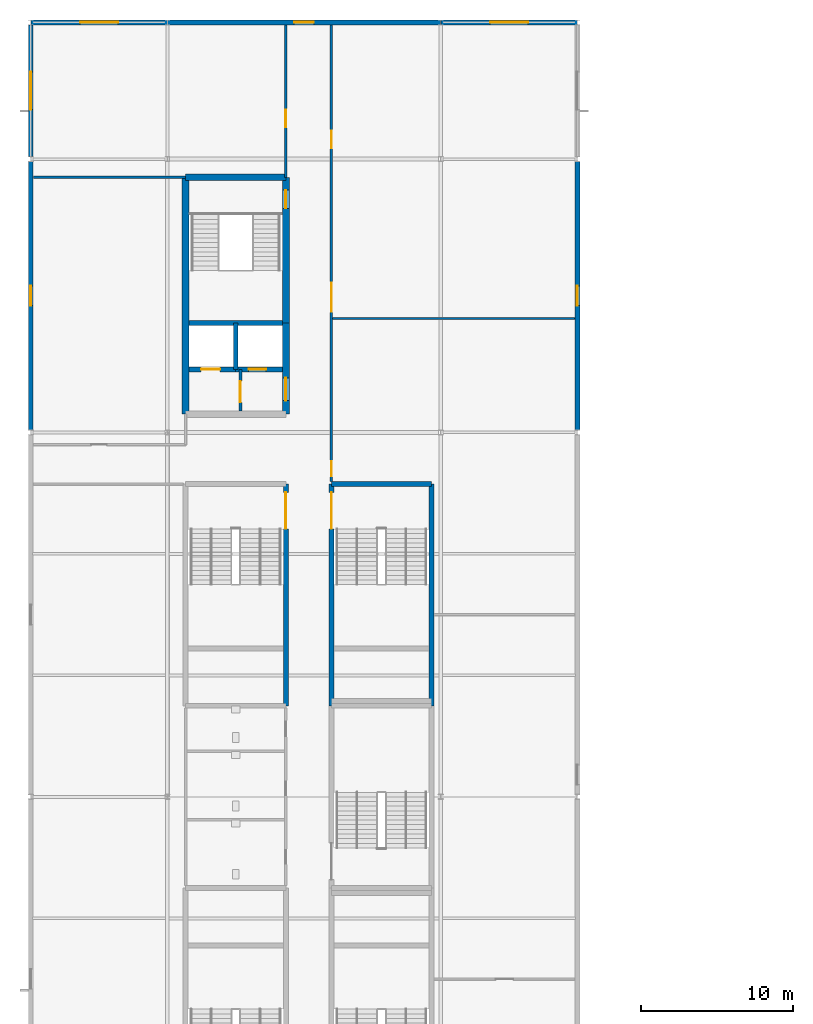
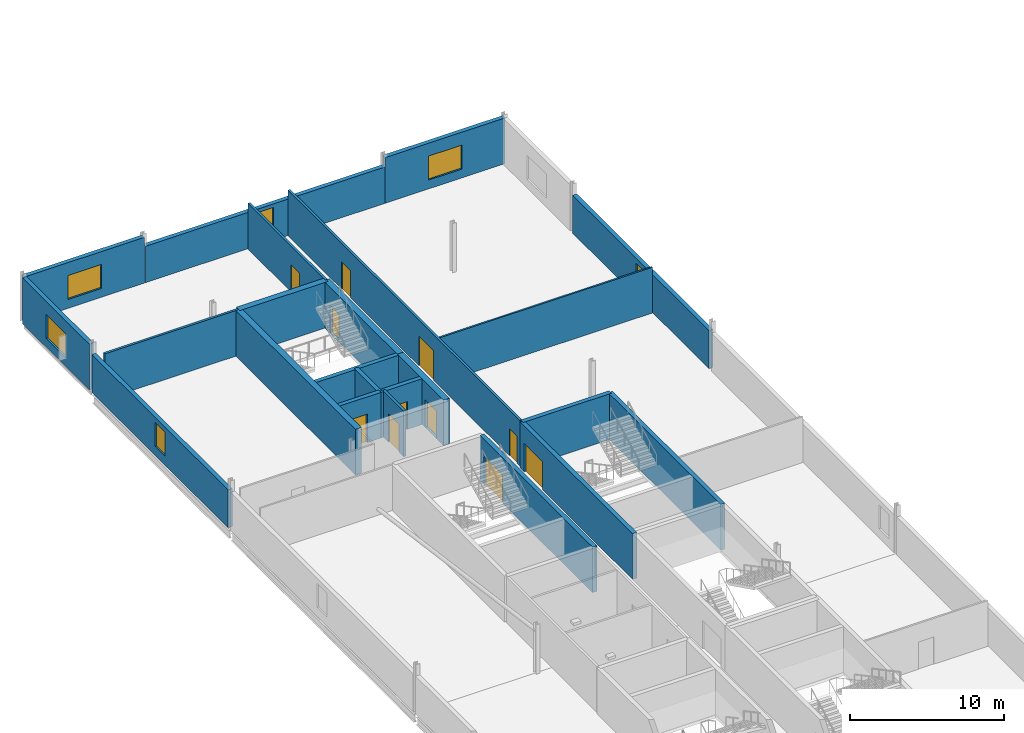
# One storey, part 16 of 31: 23 walls, 11 doors, 6 windows, 17 openings.
"""IFC4 building model written with IfcOpenShell, lengths in metres."""

from ifc_helpers import new_model, si_unit, direction, frame, frame_2d, origin, place, context, subcontext, project, spatial, rectangle, extrude, material, layer, layer_set, type_object, element, fill, save


model = new_model("IFC4")

# Units and contexts
model_context = context("Model", 3, precision=1e-05, world=origin(), true_north=direction((0.0, 1.0)))
body_context = subcontext(model_context, "Body", "Model", "MODEL_VIEW")
ifc_project = project(units=[si_unit("LENGTHUNIT", "METRE"), si_unit("AREAUNIT", "SQUARE_METRE"), si_unit("VOLUMEUNIT", "CUBIC_METRE"), si_unit("PLANEANGLEUNIT", "RADIAN"), si_unit("MASSUNIT", "GRAM", prefix="KILO")], contexts=[model_context])

# Site, building, storey
site_placement = place(None, origin())
site = spatial("IfcSite", under=ifc_project, at=site_placement, CompositionType="ELEMENT")
building_placement = place(site_placement, origin())
building = spatial("IfcBuilding", under=site, at=building_placement, Name="Kisiwana Market Hall", CompositionType="ELEMENT")
storey_placement = place(building_placement, frame((0.0, 0.0, 45.60009765625)))
storey = spatial("IfcBuildingStorey", under=building, at=storey_placement, Name="L10", CompositionType="ELEMENT", Elevation=45.60009765625)

# Wall, opening, door
ifc_material_1 = material(Name="Masonry blockwork", Category="masonry")
ifc_layer_1 = layer(ifc_material_1, 0.199951171875, Name="Plastered fire compartment block wall")
ifc_layer_set_1 = layer_set([ifc_layer_1], Name="WL-COMP-200")
wall_type_1 = type_object("IfcWallType", Name="WL-COMP-200", PredefinedType="PARTITIONING", material=ifc_layer_set_1)
wall_1_placement = place(storey_placement, frame((13.800048828125, 85.425048828125, 0.0), z_axis=(0.0, 0.0, 1.0), x_axis=(0.0, 1.0, 0.0)))
wall_1 = element("IfcWall", 1, at=wall_1_placement, inside=storey, type_object=wall_type_1, Name="Core W1 firefighting lobby wall W-2708", PredefinedType="PARTITIONING", context=body_context, shape_type="SweptSolid", body=[
    extrude(rectangle(XDim=2.72998046875, YDim=0.199951171875, at=frame_2d((1.364990234375, 0.0))), origin(), (0.0, 0.0, 1.0), 3.619873046875),
])
opening_1_placement = place(wall_1_placement, frame((0.550048828125, 0.0, 0.0)))
opening_1 = element("IfcOpeningElement", 2, at=opening_1_placement, cuts=wall_1, Name="Opening DR-L10-006", PredefinedType="OPENING", context=body_context, shape_type="SweptSolid", body=[
    extrude(rectangle(XDim=1.39990234375, YDim=2.25, at=frame_2d((0.699951171875, 1.125))), frame((0.0, 0.11181640625, 0.0), z_axis=(0.0, -1.0, 0.0), x_axis=(1.0, 0.0, 0.0)), (0.0, 0.0, 1.0), 0.223876953125),
])
ifc_material_2 = material(Name="Steel S275", Category="steel")
door_type_1 = type_object("IfcDoorType", Name="DR-FFLOB-FD120-1400", OperationType="DOUBLE_DOOR_SINGLE_SWING", PredefinedType="DOOR", material=ifc_material_2)
door_1_placement = place(opening_1_placement, frame((1.39990234375, 0.0, 0.0), z_axis=(0.0, 0.0, 1.0), x_axis=(-1.0, 0.0, 0.0)))
door_1 = element("IfcDoor", 3, at=door_1_placement, inside=storey, type_object=door_type_1, Name="Firefighting Lift Lobby W1 Door (L10)", OperationType="DOUBLE_DOOR_SINGLE_SWING", OverallHeight=2.25, OverallWidth=1.39990234375, PredefinedType="DOOR", context=body_context, shape_type="SweptSolid", body=[
    extrude(rectangle(XDim=1.39990234375, YDim=2.25, at=frame_2d((0.699951171875, 1.125))), frame((0.0, 0.02490234375, 0.0), z_axis=(0.0, -1.0, 0.0), x_axis=(1.0, 0.0, 0.0)), (0.0, 0.0, 1.0), 0.050048828125),
])
fill(opening_1, door_1)

# Walls
ifc_material_3 = material(Name="Concrete C40/50", Category="concrete")
ifc_layer_2 = layer(ifc_material_3, 0.320068359375, Name="Reinforced concrete shaft wall")
ifc_layer_set_2 = layer_set([ifc_layer_2], Name="WL-CORE-320")
wall_type_2 = type_object("IfcWallType", Name="WL-CORE-320", PredefinedType="SHEAR", material=ifc_layer_set_2)
wall_2_placement = place(storey_placement, frame((10.425048828125, 91.215087890625, 0.0), z_axis=(0.0, 0.0, 1.0), x_axis=(1.0, 0.0, 0.0)))
element("IfcWall", 4, at=wall_2_placement, inside=storey, type_object=wall_type_2, Name="Core W1 shaft back shear wall W-2601", PredefinedType="SHEAR", context=body_context, shape_type="SweptSolid", body=[
    extrude(rectangle(XDim=6.14990234375, YDim=0.320068359375, at=frame_2d((3.074951171875, 0.0))), origin(), (0.0, 0.0, 1.0), 3.619873046875),
])
wall_3_placement = place(storey_placement, frame((13.5, 88.155029296875, 0.0), z_axis=(0.0, 0.0, 1.0), x_axis=(0.0, 1.0, 0.0)))
element("IfcWall", 5, at=wall_3_placement, inside=storey, type_object=wall_type_2, Name="Core W1 inter-shaft shear wall W-2602", PredefinedType="SHEAR", context=body_context, shape_type="SweptSolid", body=[
    extrude(rectangle(XDim=3.06005859375, YDim=0.320068359375, at=frame_2d((1.530029296875, 0.0))), origin(), (0.0, 0.0, 1.0), 3.619873046875),
])

# Wall, opening, door
wall_4_placement = place(storey_placement, frame((10.425048828125, 88.155029296875, 0.0), z_axis=(0.0, 0.0, 1.0), x_axis=(1.0, 0.0, 0.0)))
wall_4 = element("IfcWall", 6, at=wall_4_placement, inside=storey, type_object=wall_type_2, Name="Core W1 west lift front wall W-2603", PredefinedType="SHEAR", context=body_context, shape_type="SweptSolid", body=[
    extrude(rectangle(XDim=3.074951171875, YDim=0.320068359375, at=frame_2d((1.53759765625, 0.0))), origin(), (0.0, 0.0, 1.0), 3.619873046875),
])
opening_2_placement = place(wall_4_placement, frame((0.800048828125, 0.0, 0.0)))
opening_2 = element("IfcOpeningElement", 7, at=opening_2_placement, cuts=wall_4, Name="Opening LD-L10-003", PredefinedType="OPENING", context=body_context, shape_type="SweptSolid", body=[
    extrude(rectangle(XDim=1.25, YDim=2.25, at=frame_2d((0.625, 1.125))), frame((0.0, 0.171875, 0.0), z_axis=(0.0, -1.0, 0.0), x_axis=(1.0, 0.0, 0.0)), (0.0, 0.0, 1.0), 0.343994140625),
])
ifc_material_4 = material(Name="Steel S275", Category="steel")
door_type_2 = type_object("IfcDoorType", Name="DR-LIFT-FFL-1250", OperationType="DOUBLE_DOOR_SLIDING", PredefinedType="DOOR", material=ifc_material_4)
door_2_placement = place(opening_2_placement, origin())
door_2 = element("IfcDoor", 8, at=door_2_placement, inside=storey, type_object=door_type_2, Name="Lift Landing Door FFL-02 (L10)", OperationType="DOUBLE_DOOR_SLIDING", OverallHeight=2.25, OverallWidth=1.25, PredefinedType="DOOR", context=body_context, shape_type="SweptSolid", body=[
    extrude(rectangle(XDim=1.25, YDim=2.25, at=frame_2d((0.625, 1.125))), frame((0.0, 0.02490234375, 0.0), z_axis=(0.0, -1.0, 0.0), x_axis=(1.0, 0.0, 0.0)), (0.0, 0.0, 1.0), 0.050048828125),
])
fill(opening_2, door_2)

wall_5_placement = place(storey_placement, frame((13.5, 88.155029296875, 0.0), z_axis=(0.0, 0.0, 1.0), x_axis=(1.0, 0.0, 0.0)))
wall_5 = element("IfcWall", 9, at=wall_5_placement, inside=storey, type_object=wall_type_2, Name="Core W1 east lift front wall W-2604", PredefinedType="SHEAR", context=body_context, shape_type="SweptSolid", body=[
    extrude(rectangle(XDim=3.074951171875, YDim=0.320068359375, at=frame_2d((1.53759765625, 0.0))), origin(), (0.0, 0.0, 1.0), 3.619873046875),
])
opening_3_placement = place(wall_5_placement, frame((0.85009765625, 0.0, 0.0)))
opening_3 = element("IfcOpeningElement", 10, at=opening_3_placement, cuts=wall_5, Name="Opening LD-L10-004", PredefinedType="OPENING", context=body_context, shape_type="SweptSolid", body=[
    extrude(rectangle(XDim=1.14990234375, YDim=2.199951171875, at=frame_2d((0.574951171875, 1.10009765625))), frame((0.0, 0.171875, 0.0), z_axis=(0.0, -1.0, 0.0), x_axis=(1.0, 0.0, 0.0)), (0.0, 0.0, 1.0), 0.343994140625),
])
ifc_material_5 = material(Name="Steel S275", Category="steel")
door_type_3 = type_object("IfcDoorType", Name="DR-LIFT-PAX-1150", OperationType="DOUBLE_DOOR_SLIDING", PredefinedType="DOOR", material=ifc_material_5)
door_3_placement = place(opening_3_placement, origin())
door_3 = element("IfcDoor", 11, at=door_3_placement, inside=storey, type_object=door_type_3, Name="Lift Landing Door LP-02 (L10)", OperationType="DOUBLE_DOOR_SLIDING", OverallHeight=2.199951171875, OverallWidth=1.14990234375, PredefinedType="DOOR", context=body_context, shape_type="SweptSolid", body=[
    extrude(rectangle(XDim=1.14990234375, YDim=2.199951171875, at=frame_2d((0.574951171875, 1.10009765625))), frame((0.0, 0.02490234375, 0.0), z_axis=(0.0, -1.0, 0.0), x_axis=(1.0, 0.0, 0.0)), (0.0, 0.0, 1.0), 0.050048828125),
])
fill(opening_3, door_3)

wall_6_placement = place(storey_placement, frame((16.800048828125, 66.0, 0.0), z_axis=(0.0, 0.0, 1.0), x_axis=(0.0, 1.0, 0.0)))
wall_6 = element("IfcWall", 12, at=wall_6_placement, inside=storey, type_object=wall_type_2, Name="Core W4 corridor shear wall W-2631", PredefinedType="SHEAR", context=body_context, shape_type="SweptSolid", body=[
    extrude(rectangle(XDim=14.60009765625, YDim=0.320068359375, at=frame_2d((7.300048828125, 0.0))), origin(), (0.0, 0.0, 1.0), 3.619873046875),
])
opening_4_placement = place(wall_6_placement, frame((11.64990234375, 0.0, 0.0)))
opening_4 = element("IfcOpeningElement", 13, at=opening_4_placement, cuts=wall_6, Name="Opening DR-L10-014", PredefinedType="OPENING", context=body_context, shape_type="SweptSolid", body=[
    extrude(rectangle(XDim=2.39990234375, YDim=2.25, at=frame_2d((1.199951171875, 1.125))), frame((0.0, 0.171875, 0.0), z_axis=(0.0, -1.0, 0.0), x_axis=(1.0, 0.0, 0.0)), (0.0, 0.0, 1.0), 0.343994140625),
])
ifc_material_6 = material(Name="Steel S275", Category="steel")
door_type_4 = type_object("IfcDoorType", Name="DR-STAIR-FD120-2400", OperationType="DOUBLE_DOOR_SINGLE_SWING", PredefinedType="DOOR", material=ifc_material_6)
door_4_placement = place(opening_4_placement, origin())
door_4 = element("IfcDoor", 14, at=door_4_placement, inside=storey, type_object=door_type_4, Name="Escape Stair W4 Fire Door (L10)", OperationType="DOUBLE_DOOR_SINGLE_SWING", OverallHeight=2.25, OverallWidth=2.39990234375, PredefinedType="DOOR", context=body_context, shape_type="SweptSolid", body=[
    extrude(rectangle(XDim=2.39990234375, YDim=2.25, at=frame_2d((1.199951171875, 1.125))), frame((0.0, 0.02490234375, 0.0), z_axis=(0.0, -1.0, 0.0), x_axis=(1.0, 0.0, 0.0)), (0.0, 0.0, 1.0), 0.050048828125),
])
fill(opening_4, door_4)

# Wall
wall_7_placement = place(storey_placement, frame((19.800048828125, 80.60009765625, 0.0), z_axis=(0.0, 0.0, 1.0), x_axis=(1.0, 0.0, 0.0)))
element("IfcWall", 15, at=wall_7_placement, inside=storey, type_object=wall_type_2, Name="Core W8 north shear wall W-2654", PredefinedType="SHEAR", context=body_context, shape_type="SweptSolid", body=[
    extrude(rectangle(XDim=6.599853515625, YDim=0.320068359375, at=frame_2d((3.2998046875, 0.0))), origin(), (0.0, 0.0, 1.0), 3.619873046875),
])

# Wall, opening, door
wall_8_placement = place(storey_placement, frame((19.800048828125, 66.0, 0.0), z_axis=(0.0, 0.0, 1.0), x_axis=(0.0, 1.0, 0.0)))
wall_8 = element("IfcWall", 16, at=wall_8_placement, inside=storey, type_object=wall_type_2, Name="Core W8 corridor shear wall W-2655", PredefinedType="SHEAR", context=body_context, shape_type="SweptSolid", body=[
    extrude(rectangle(XDim=14.60009765625, YDim=0.320068359375, at=frame_2d((7.300048828125, 0.0))), origin(), (0.0, 0.0, 1.0), 3.619873046875),
])
opening_5_placement = place(wall_8_placement, frame((11.64990234375, 0.0, 0.0)))
opening_5 = element("IfcOpeningElement", 17, at=opening_5_placement, cuts=wall_8, Name="Opening DR-L10-019", PredefinedType="OPENING", context=body_context, shape_type="SweptSolid", body=[
    extrude(rectangle(XDim=2.39990234375, YDim=2.25, at=frame_2d((1.199951171875, 1.125))), frame((0.0, 0.171875, 0.0), z_axis=(0.0, -1.0, 0.0), x_axis=(1.0, 0.0, 0.0)), (0.0, 0.0, 1.0), 0.343994140625),
])
door_5_placement = place(opening_5_placement, frame((2.39990234375, 0.0, 0.0), z_axis=(0.0, 0.0, 1.0), x_axis=(-1.0, 0.0, 0.0)))
door_5 = element("IfcDoor", 18, at=door_5_placement, inside=storey, type_object=door_type_4, Name="Escape Stair W8 Fire Door (L10)", OperationType="DOUBLE_DOOR_SINGLE_SWING", OverallHeight=2.25, OverallWidth=2.39990234375, PredefinedType="DOOR", context=body_context, shape_type="SweptSolid", body=[
    extrude(rectangle(XDim=2.39990234375, YDim=2.25, at=frame_2d((1.199951171875, 1.125))), frame((0.0, 0.02490234375, 0.0), z_axis=(0.0, -1.0, 0.0), x_axis=(1.0, 0.0, 0.0)), (0.0, 0.0, 1.0), 0.050048828125),
])
fill(opening_5, door_5)

# Walls
wall_9_placement = place(storey_placement, frame((26.39990234375, 66.0, 0.0), z_axis=(0.0, 0.0, 1.0), x_axis=(0.0, 1.0, 0.0)))
element("IfcWall", 19, at=wall_9_placement, inside=storey, type_object=wall_type_2, Name="Core W8 outer shear wall W-2656", PredefinedType="SHEAR", context=body_context, shape_type="SweptSolid", body=[
    extrude(rectangle(XDim=14.60009765625, YDim=0.320068359375, at=frame_2d((7.300048828125, 0.0))), origin(), (0.0, 0.0, 1.0), 3.619873046875),
])
ifc_material_7 = material(Name="Concrete C40/50", Category="concrete")
ifc_layer_3 = layer(ifc_material_7, 0.449951171875, Name="Reinforced concrete core wall")
ifc_layer_set_3 = layer_set([ifc_layer_3], Name="WL-CORE-450")
wall_type_3 = type_object("IfcWallType", Name="WL-CORE-450", PredefinedType="SHEAR", material=ifc_layer_set_3)
wall_10_placement = place(storey_placement, frame((10.199951171875, 100.800048828125, 0.0), z_axis=(0.0, 0.0, 1.0), x_axis=(1.0, 0.0, 0.0)))
element("IfcWall", 20, at=wall_10_placement, inside=storey, type_object=wall_type_3, Name="Core W1 north shear wall W-2597", PredefinedType="SHEAR", context=body_context, shape_type="SweptSolid", body=[
    extrude(rectangle(XDim=6.60009765625, YDim=0.449951171875, at=frame_2d((3.300048828125, 0.0))), origin(), (0.0, 0.0, 1.0), 3.619873046875),
])
wall_11_placement = place(storey_placement, frame((10.199951171875, 85.199951171875, 0.0), z_axis=(0.0, 0.0, 1.0), x_axis=(0.0, 1.0, 0.0)))
element("IfcWall", 21, at=wall_11_placement, inside=storey, type_object=wall_type_3, Name="Core W1 outer shear wall W-2598", PredefinedType="SHEAR", context=body_context, shape_type="SweptSolid", body=[
    extrude(rectangle(XDim=15.60009765625, YDim=0.449951171875, at=frame_2d((7.800048828125, 0.0))), origin(), (0.0, 0.0, 1.0), 3.619873046875),
])

# Wall, opening, door
wall_12_placement = place(storey_placement, frame((16.800048828125, 85.199951171875, 0.0), z_axis=(0.0, 0.0, 1.0), x_axis=(0.0, 1.0, 0.0)))
wall_12 = element("IfcWall", 22, at=wall_12_placement, inside=storey, type_object=wall_type_3, Name="Core W1 lobby corridor shear wall W-2599", PredefinedType="SHEAR", context=body_context, shape_type="SweptSolid", body=[
    extrude(rectangle(XDim=6.01513671875, YDim=0.449951171875, at=frame_2d((3.007568359375, 0.0))), origin(), (0.0, 0.0, 1.0), 3.619873046875),
])
opening_6_placement = place(wall_12_placement, frame((0.89990234375, 0.0, 0.0)))
opening_6 = element("IfcOpeningElement", 23, at=opening_6_placement, cuts=wall_12, Name="Opening DR-L10-004", PredefinedType="OPENING", context=body_context, shape_type="SweptSolid", body=[
    extrude(rectangle(XDim=1.5, YDim=2.199951171875, at=frame_2d((0.75, 1.10009765625))), frame((0.0, 0.23681640625, 0.0), z_axis=(0.0, -1.0, 0.0), x_axis=(1.0, 0.0, 0.0)), (0.0, 0.0, 1.0), 0.473876953125),
])
ifc_material_8 = material(Name="Steel S275", Category="steel")
door_type_5 = type_object("IfcDoorType", Name="DR-CORR-FD60-1500", OperationType="DOUBLE_DOOR_SINGLE_SWING", PredefinedType="DOOR", material=ifc_material_8)
door_6_placement = place(opening_6_placement, frame((1.5, 0.0, 0.0), z_axis=(0.0, 0.0, 1.0), x_axis=(-1.0, 0.0, 0.0)))
door_6 = element("IfcDoor", 24, at=door_6_placement, inside=storey, type_object=door_type_5, Name="Passenger Lift Lobby W1 Smoke Door (L10)", OperationType="DOUBLE_DOOR_SINGLE_SWING", OverallHeight=2.199951171875, OverallWidth=1.5, PredefinedType="DOOR", context=body_context, shape_type="SweptSolid", body=[
    extrude(rectangle(XDim=1.5, YDim=2.199951171875, at=frame_2d((0.75, 1.10009765625))), frame((0.0, 0.02490234375, 0.0), z_axis=(0.0, -1.0, 0.0), x_axis=(1.0, 0.0, 0.0)), (0.0, 0.0, 1.0), 0.050048828125),
])
fill(opening_6, door_6)

wall_13_placement = place(storey_placement, frame((16.800048828125, 91.215087890625, 0.0), z_axis=(0.0, 0.0, 1.0), x_axis=(0.0, 1.0, 0.0)))
wall_13 = element("IfcWall", 25, at=wall_13_placement, inside=storey, type_object=wall_type_3, Name="Core W1 stair corridor shear wall W-2600", PredefinedType="SHEAR", context=body_context, shape_type="SweptSolid", body=[
    extrude(rectangle(XDim=9.5849609375, YDim=0.449951171875, at=frame_2d((4.79248046875, 0.0))), origin(), (0.0, 0.0, 1.0), 3.619873046875),
])
opening_7_placement = place(wall_13_placement, frame((7.534912109375, 0.0, 0.0)))
opening_7 = element("IfcOpeningElement", 26, at=opening_7_placement, cuts=wall_13, Name="Opening DR-L10-005", PredefinedType="OPENING", context=body_context, shape_type="SweptSolid", body=[
    extrude(rectangle(XDim=1.199951171875, YDim=2.199951171875, at=frame_2d((0.60009765625, 1.10009765625))), frame((0.0, 0.23681640625, 0.0), z_axis=(0.0, -1.0, 0.0), x_axis=(1.0, 0.0, 0.0)), (0.0, 0.0, 1.0), 0.473876953125),
])
ifc_material_9 = material(Name="Steel S275", Category="steel")
door_type_6 = type_object("IfcDoorType", Name="DR-STAIR-FD120-1200", OperationType="NOTDEFINED", PredefinedType="DOOR", material=ifc_material_9)
door_7_placement = place(opening_7_placement, origin())
door_7 = element("IfcDoor", 27, at=door_7_placement, inside=storey, type_object=door_type_6, Name="Escape Stair W1 Fire Door (L10)", OperationType="SINGLE_SWING_RIGHT", OverallHeight=2.199951171875, OverallWidth=1.199951171875, PredefinedType="DOOR", context=body_context, shape_type="SweptSolid", body=[
    extrude(rectangle(XDim=1.199951171875, YDim=2.199951171875, at=frame_2d((0.60009765625, 1.10009765625))), frame((0.0, 0.02490234375, 0.0), z_axis=(0.0, -1.0, 0.0), x_axis=(1.0, 0.0, 0.0)), (0.0, 0.0, 1.0), 0.050048828125),
])
fill(opening_7, door_7)

# Wall
ifc_material_10 = material(Name="Masonry blockwork", Category="masonry")
ifc_layer_4 = layer(ifc_material_10, 0.169921875, Name="Protected corridor partition")
ifc_layer_set_4 = layer_set([ifc_layer_4], Name="WL-CORR-170")
wall_type_4 = type_object("IfcWallType", Name="WL-CORR-170", PredefinedType="PARTITIONING", material=ifc_layer_set_4)
wall_14_placement = place(storey_placement, frame((0.1826171875, 100.800048828125, 0.0), z_axis=(0.0, 0.0, 1.0), x_axis=(1.0, 0.0, 0.0)))
element("IfcWall", 28, at=wall_14_placement, inside=storey, type_object=wall_type_4, Name="Interior partition W-2718", PredefinedType="PARTITIONING", context=body_context, shape_type="SweptSolid", body=[
    extrude(rectangle(XDim=10.017333984375, YDim=0.169921875, at=frame_2d((5.0087890625, 0.0))), origin(), (0.0, 0.0, 1.0), 3.619873046875),
])

# Wall, opening, door
wall_15_placement = place(storey_placement, frame((16.800048828125, 100.800048828125, 0.0), z_axis=(0.0, 0.0, 1.0), x_axis=(0.0, 1.0, 0.0)))
wall_15 = element("IfcWall", 29, at=wall_15_placement, inside=storey, type_object=wall_type_4, Name="Interior partition W-2724", PredefinedType="PARTITIONING", context=body_context, shape_type="SweptSolid", body=[
    extrude(rectangle(XDim=10.017333984375, YDim=0.169921875, at=frame_2d((5.0087890625, 0.0))), origin(), (0.0, 0.0, 1.0), 3.619873046875),
])
opening_8_placement = place(wall_15_placement, frame((3.300048828125, 0.0, 0.0)))
opening_8 = element("IfcOpeningElement", 30, at=opening_8_placement, cuts=wall_15, Name="Opening DR-L10-030", PredefinedType="OPENING", context=body_context, shape_type="SweptSolid", body=[
    extrude(rectangle(XDim=1.14990234375, YDim=2.14990234375, at=frame_2d((0.574951171875, 1.074951171875))), frame((0.0, 0.096923828125, 0.0), z_axis=(0.0, -1.0, 0.0), x_axis=(1.0, 0.0, 0.0)), (0.0, 0.0, 1.0), 0.19384765625),
])
ifc_material_11 = material(Name="Aluminium alloy 6063-T6", Category="aluminium")
door_type_7 = type_object("IfcDoorType", Name="DR-MEET-1150", OperationType="NOTDEFINED", PredefinedType="DOOR", material=ifc_material_11)
door_8_placement = place(opening_8_placement, origin())
door_8 = element("IfcDoor", 31, at=door_8_placement, inside=storey, type_object=door_type_7, Name="L10 W Corner Office Suite North Door", OperationType="SINGLE_SWING_LEFT", OverallHeight=2.14990234375, OverallWidth=1.14990234375, PredefinedType="DOOR", context=body_context, shape_type="SweptSolid", body=[
    extrude(rectangle(XDim=1.14990234375, YDim=2.14990234375, at=frame_2d((0.574951171875, 1.074951171875))), frame((0.0, 0.02490234375, 0.0), z_axis=(0.0, -1.0, 0.0), x_axis=(1.0, 0.0, 0.0)), (0.0, 0.0, 1.0), 0.050048828125),
])
fill(opening_8, door_8)

# Wall, openings, doors
wall_16_placement = place(storey_placement, frame((19.800048828125, 80.760009765625, 0.0), z_axis=(0.0, 0.0, 1.0), x_axis=(0.0, 1.0, 0.0)))
wall_16 = element("IfcWall", 32, at=wall_16_placement, inside=storey, type_object=wall_type_4, Name="Interior partition W-2730", PredefinedType="PARTITIONING", context=body_context, shape_type="SweptSolid", body=[
    extrude(rectangle(XDim=30.057373046875, YDim=0.169921875, at=frame_2d((15.02880859375, 0.0))), origin(), (0.0, 0.0, 1.0), 3.619873046875),
])
opening_9_placement = place(wall_16_placement, frame((0.35009765625, 0.0, 0.0)))
opening_9 = element("IfcOpeningElement", 33, at=opening_9_placement, cuts=wall_16, Name="Opening DR-L10-036", PredefinedType="OPENING", context=body_context, shape_type="SweptSolid", body=[
    extrude(rectangle(XDim=1.0, YDim=2.14990234375, at=frame_2d((0.5, 1.074951171875))), frame((0.0, 0.096923828125, 0.0), z_axis=(0.0, -1.0, 0.0), x_axis=(1.0, 0.0, 0.0)), (0.0, 0.0, 1.0), 0.19384765625),
])
opening_10_placement = place(wall_16_placement, frame((21.949951171875, 0.0, 0.0)))
opening_10 = element("IfcOpeningElement", 34, at=opening_10_placement, cuts=wall_16, Name="Opening DR-L10-037", PredefinedType="OPENING", context=body_context, shape_type="SweptSolid", body=[
    extrude(rectangle(XDim=1.14990234375, YDim=2.14990234375, at=frame_2d((0.574951171875, 1.074951171875))), frame((0.0, 0.096923828125, 0.0), z_axis=(0.0, -1.0, 0.0), x_axis=(1.0, 0.0, 0.0)), (0.0, 0.0, 1.0), 0.19384765625),
])
opening_11_placement = place(wall_16_placement, frame((11.18994140625, 0.0, 0.0)))
opening_11 = element("IfcOpeningElement", 35, at=opening_11_placement, cuts=wall_16, Name="Opening DR-L10-038", PredefinedType="OPENING", context=body_context, shape_type="SweptSolid", body=[
    extrude(rectangle(XDim=1.89990234375, YDim=2.35009765625, at=frame_2d((0.949951171875, 1.175048828125))), frame((0.0, 0.096923828125, 0.0), z_axis=(0.0, -1.0, 0.0), x_axis=(1.0, 0.0, 0.0)), (0.0, 0.0, 1.0), 0.19384765625),
])
ifc_material_12 = material(Name="Steel S275", Category="steel")
door_type_8 = type_object("IfcDoorType", Name="DR-HALL-1900", OperationType="DOUBLE_DOOR_SINGLE_SWING", PredefinedType="DOOR", material=ifc_material_12)
door_9_placement = place(opening_11_placement, frame((1.89990234375, 0.0, 0.0), z_axis=(0.0, 0.0, 1.0), x_axis=(-1.0, 0.0, 0.0)))
door_9 = element("IfcDoor", 36, at=door_9_placement, inside=storey, type_object=door_type_8, Name="L10 W Client Briefing Room M5 Exit Door", OperationType="DOUBLE_DOOR_SINGLE_SWING", OverallHeight=2.35009765625, OverallWidth=1.89990234375, PredefinedType="DOOR", context=body_context, shape_type="SweptSolid", body=[
    extrude(rectangle(XDim=1.89990234375, YDim=2.35009765625, at=frame_2d((0.949951171875, 1.175048828125))), frame((0.0, 0.02490234375, 0.0), z_axis=(0.0, -1.0, 0.0), x_axis=(1.0, 0.0, 0.0)), (0.0, 0.0, 1.0), 0.050048828125),
])
fill(opening_11, door_9)
door_10_placement = place(opening_10_placement, frame((1.14990234375, 0.0, 0.0), z_axis=(0.0, 0.0, 1.0), x_axis=(-1.0, 0.0, 0.0)))
door_10 = element("IfcDoor", 37, at=door_10_placement, inside=storey, type_object=door_type_7, Name="L10 W Client Briefing Room M5 Door", OperationType="SINGLE_SWING_LEFT", OverallHeight=2.14990234375, OverallWidth=1.14990234375, PredefinedType="DOOR", context=body_context, shape_type="SweptSolid", body=[
    extrude(rectangle(XDim=1.14990234375, YDim=2.14990234375, at=frame_2d((0.574951171875, 1.074951171875))), frame((0.0, 0.02490234375, 0.0), z_axis=(0.0, -1.0, 0.0), x_axis=(1.0, 0.0, 0.0)), (0.0, 0.0, 1.0), 0.050048828125),
])
fill(opening_10, door_10)
ifc_material_13 = material(Name="Aluminium alloy 6063-T6", Category="aluminium")
door_type_9 = type_object("IfcDoorType", Name="DR-OFF-1000", OperationType="NOTDEFINED", PredefinedType="DOOR", material=ifc_material_13)
door_11_placement = place(opening_9_placement, frame((1.0, 0.0, 0.0), z_axis=(0.0, 0.0, 1.0), x_axis=(-1.0, 0.0, 0.0)))
door_11 = element("IfcDoor", 38, at=door_11_placement, inside=storey, type_object=door_type_9, Name="L10 W Mid-Rise Office Suite M4 Door", OperationType="SINGLE_SWING_RIGHT", OverallHeight=2.14990234375, OverallWidth=1.0, PredefinedType="DOOR", context=body_context, shape_type="SweptSolid", body=[
    extrude(rectangle(XDim=1.0, YDim=2.14990234375, at=frame_2d((0.5, 1.074951171875))), frame((0.0, 0.02490234375, 0.0), z_axis=(0.0, -1.0, 0.0), x_axis=(1.0, 0.0, 0.0)), (0.0, 0.0, 1.0), 0.050048828125),
])
fill(opening_9, door_11)

# Wall, opening, window
ifc_material_14 = material(Name="Concrete C40/50 precast", Category="concrete")
ifc_layer_5 = layer(ifc_material_14, 0.31494140625)
ifc_layer_set_5 = layer_set([ifc_layer_5], Name="WL-EXT-315")
wall_type_5 = type_object("IfcWallType", Name="WL-EXT-315", PredefinedType="STANDARD", material=ifc_layer_set_5)
wall_17_placement = place(storey_placement, frame((0.010009765625, 111.0, 0.0), z_axis=(0.0, 0.0, 1.0), x_axis=(1.0, 0.0, 0.0)))
wall_17 = element("IfcWall", 39, at=wall_17_placement, inside=storey, type_object=wall_type_5, Name="Exterior wall W-2677", PredefinedType="STANDARD", context=body_context, shape_type="SweptSolid", body=[
    extrude(rectangle(XDim=8.97998046875, YDim=0.31494140625, at=frame_2d((4.489990234375, 0.0))), origin(), (0.0, 0.0, 1.0), 3.619873046875),
])
opening_12_placement = place(wall_17_placement, frame((3.239990234375, 0.0, 0.699951171875)))
opening_12 = element("IfcOpeningElement", 40, at=opening_12_placement, cuts=wall_17, Name="Opening WN-17", PredefinedType="OPENING", context=body_context, shape_type="SweptSolid", body=[
    extrude(rectangle(XDim=2.5, YDim=1.89990234375, at=frame_2d((1.25, 0.949951171875))), frame((0.0, 0.16943359375, 0.0), z_axis=(0.0, -1.0, 0.0), x_axis=(1.0, 0.0, 0.0)), (0.0, 0.0, 1.0), 0.3388671875),
])
ifc_material_15 = material(Name="Double-glazed solar-control low-E IGU", Category="glass")
window_type_1 = type_object("IfcWindowType", Name="WN-OFFB-2500x1900", PartitioningType="SINGLE_PANEL", PredefinedType="WINDOW", material=ifc_material_15)
window_1_placement = place(opening_12_placement, origin())
window_1 = element("IfcWindow", 41, at=window_1_placement, inside=storey, type_object=window_type_1, Name="Exterior window WN-318", OverallHeight=1.89990234375, OverallWidth=2.5, PartitioningType="SINGLE_PANEL", PredefinedType="WINDOW", context=body_context, shape_type="SweptSolid", body=[
    extrude(rectangle(XDim=2.5, YDim=1.89990234375, at=frame_2d((1.25, 0.949951171875))), frame((0.0, 0.030029296875, 0.0), z_axis=(0.0, -1.0, 0.0), x_axis=(1.0, 0.0, 0.0)), (0.0, 0.0, 1.0), 0.06005859375),
])
fill(opening_12, window_1)

wall_18_placement = place(storey_placement, frame((9.010009765625, 111.0, 0.0), z_axis=(0.0, 0.0, 1.0), x_axis=(1.0, 0.0, 0.0)))
wall_18 = element("IfcWall", 42, at=wall_18_placement, inside=storey, type_object=wall_type_5, Name="Exterior wall W-2678", PredefinedType="STANDARD", context=body_context, shape_type="SweptSolid", body=[
    extrude(rectangle(XDim=17.97998046875, YDim=0.31494140625, at=frame_2d((8.989990234375, 0.0))), origin(), (0.0, 0.0, 1.0), 2.879638671875),
])
opening_13_placement = place(wall_18_placement, frame((8.340087890625, 0.0, 0.699951171875)))
opening_13 = element("IfcOpeningElement", 43, at=opening_13_placement, cuts=wall_18, Name="Opening WN-08", PredefinedType="OPENING", context=body_context, shape_type="SweptSolid", body=[
    extrude(rectangle(XDim=1.300048828125, YDim=1.89990234375, at=frame_2d((0.64990234375, 0.949951171875))), frame((0.0, 0.16943359375, 0.0), z_axis=(0.0, -1.0, 0.0), x_axis=(1.0, 0.0, 0.0)), (0.0, 0.0, 1.0), 0.3388671875),
])
ifc_material_16 = material(Name="Double-glazed solar-control low-E IGU", Category="glass")
window_type_2 = type_object("IfcWindowType", Name="WN-OFFB-1300x1900", PartitioningType="SINGLE_PANEL", PredefinedType="WINDOW", material=ifc_material_16)
window_2_placement = place(opening_13_placement, origin())
window_2 = element("IfcWindow", 44, at=window_2_placement, inside=storey, type_object=window_type_2, Name="Exterior window WN-296", OverallHeight=1.89990234375, OverallWidth=1.300048828125, PartitioningType="SINGLE_PANEL", PredefinedType="WINDOW", context=body_context, shape_type="SweptSolid", body=[
    extrude(rectangle(XDim=1.300048828125, YDim=1.89990234375, at=frame_2d((0.64990234375, 0.949951171875))), frame((0.0, 0.030029296875, 0.0), z_axis=(0.0, -1.0, 0.0), x_axis=(1.0, 0.0, 0.0)), (0.0, 0.0, 1.0), 0.06005859375),
])
fill(opening_13, window_2)

wall_19_placement = place(storey_placement, frame((27.010009765625, 111.0, 0.0), z_axis=(0.0, 0.0, 1.0), x_axis=(1.0, 0.0, 0.0)))
wall_19 = element("IfcWall", 45, at=wall_19_placement, inside=storey, type_object=wall_type_5, Name="Exterior wall W-2679", PredefinedType="STANDARD", context=body_context, shape_type="SweptSolid", body=[
    extrude(rectangle(XDim=8.97998046875, YDim=0.31494140625, at=frame_2d((4.489990234375, 0.0))), origin(), (0.0, 0.0, 1.0), 3.619873046875),
])
opening_14_placement = place(wall_19_placement, frame((3.239990234375, 0.0, 0.699951171875)))
opening_14 = element("IfcOpeningElement", 46, at=opening_14_placement, cuts=wall_19, Name="Opening WN-17", PredefinedType="OPENING", context=body_context, shape_type="SweptSolid", body=[
    extrude(rectangle(XDim=2.5, YDim=1.89990234375, at=frame_2d((1.25, 0.949951171875))), frame((0.0, 0.16943359375, 0.0), z_axis=(0.0, -1.0, 0.0), x_axis=(1.0, 0.0, 0.0)), (0.0, 0.0, 1.0), 0.3388671875),
])
window_3_placement = place(opening_14_placement, origin())
window_3 = element("IfcWindow", 47, at=window_3_placement, inside=storey, type_object=window_type_1, Name="Exterior window WN-319", OverallHeight=1.89990234375, OverallWidth=2.5, PartitioningType="SINGLE_PANEL", PredefinedType="WINDOW", context=body_context, shape_type="SweptSolid", body=[
    extrude(rectangle(XDim=2.5, YDim=1.89990234375, at=frame_2d((1.25, 0.949951171875))), frame((0.0, 0.030029296875, 0.0), z_axis=(0.0, -1.0, 0.0), x_axis=(1.0, 0.0, 0.0)), (0.0, 0.0, 1.0), 0.06005859375),
])
fill(opening_14, window_3)

wall_20_placement = place(storey_placement, frame((0.0, 84.159912109375, 0.0), z_axis=(0.0, 0.0, 1.0), x_axis=(0.0, 1.0, 0.0)))
wall_20 = element("IfcWall", 48, at=wall_20_placement, inside=storey, type_object=wall_type_5, Name="Exterior wall W-2687", PredefinedType="STANDARD", context=body_context, shape_type="SweptSolid", body=[
    extrude(rectangle(XDim=17.68017578125, YDim=0.31494140625, at=frame_2d((8.840087890625, 0.0))), origin(), (0.0, 0.0, 1.0), 3.0078125),
])
opening_15_placement = place(wall_20_placement, frame((8.190185546875, 0.0, 0.699951171875)))
opening_15 = element("IfcOpeningElement", 49, at=opening_15_placement, cuts=wall_20, Name="Opening WN-08", PredefinedType="OPENING", context=body_context, shape_type="SweptSolid", body=[
    extrude(rectangle(XDim=1.300048828125, YDim=1.89990234375, at=frame_2d((0.64990234375, 0.949951171875))), frame((0.0, 0.16943359375, 0.0), z_axis=(0.0, -1.0, 0.0), x_axis=(1.0, 0.0, 0.0)), (0.0, 0.0, 1.0), 0.3388671875),
])
window_4_placement = place(opening_15_placement, origin())
window_4 = element("IfcWindow", 50, at=window_4_placement, inside=storey, type_object=window_type_2, Name="Exterior window WN-301", OverallHeight=1.89990234375, OverallWidth=1.300048828125, PartitioningType="SINGLE_PANEL", PredefinedType="WINDOW", context=body_context, shape_type="SweptSolid", body=[
    extrude(rectangle(XDim=1.300048828125, YDim=1.89990234375, at=frame_2d((0.64990234375, 0.949951171875))), frame((0.0, 0.030029296875, 0.0), z_axis=(0.0, -1.0, 0.0), x_axis=(1.0, 0.0, 0.0)), (0.0, 0.0, 1.0), 0.06005859375),
])
fill(opening_15, window_4)

wall_21_placement = place(storey_placement, frame((0.0, 102.159912109375, 0.0), z_axis=(0.0, 0.0, 1.0), x_axis=(0.0, 1.0, 0.0)))
wall_21 = element("IfcWall", 51, at=wall_21_placement, inside=storey, type_object=wall_type_5, Name="Exterior wall W-2688", PredefinedType="STANDARD", context=body_context, shape_type="SweptSolid", body=[
    extrude(rectangle(XDim=8.68017578125, YDim=0.31494140625, at=frame_2d((4.340087890625, 0.0))), origin(), (0.0, 0.0, 1.0), 3.619873046875),
])
opening_16_placement = place(wall_21_placement, frame((3.090087890625, 0.0, 0.699951171875)))
opening_16 = element("IfcOpeningElement", 52, at=opening_16_placement, cuts=wall_21, Name="Opening WN-17", PredefinedType="OPENING", context=body_context, shape_type="SweptSolid", body=[
    extrude(rectangle(XDim=2.5, YDim=1.89990234375, at=frame_2d((1.25, 0.949951171875))), frame((0.0, 0.16943359375, 0.0), z_axis=(0.0, -1.0, 0.0), x_axis=(1.0, 0.0, 0.0)), (0.0, 0.0, 1.0), 0.3388671875),
])
window_5_placement = place(opening_16_placement, origin())
window_5 = element("IfcWindow", 53, at=window_5_placement, inside=storey, type_object=window_type_1, Name="Exterior window WN-323", OverallHeight=1.89990234375, OverallWidth=2.5, PartitioningType="SINGLE_PANEL", PredefinedType="WINDOW", context=body_context, shape_type="SweptSolid", body=[
    extrude(rectangle(XDim=2.5, YDim=1.89990234375, at=frame_2d((1.25, 0.949951171875))), frame((0.0, 0.030029296875, 0.0), z_axis=(0.0, -1.0, 0.0), x_axis=(1.0, 0.0, 0.0)), (0.0, 0.0, 1.0), 0.06005859375),
])
fill(opening_16, window_5)

wall_22_placement = place(storey_placement, frame((36.0, 84.159912109375, 0.0), z_axis=(0.0, 0.0, 1.0), x_axis=(0.0, 1.0, 0.0)))
wall_22 = element("IfcWall", 54, at=wall_22_placement, inside=storey, type_object=wall_type_5, Name="Exterior wall W-2693", PredefinedType="STANDARD", context=body_context, shape_type="SweptSolid", body=[
    extrude(rectangle(XDim=17.68017578125, YDim=0.31494140625, at=frame_2d((8.840087890625, 0.0))), origin(), (0.0, 0.0, 1.0), 3.0078125),
])
opening_17_placement = place(wall_22_placement, frame((8.190185546875, 0.0, 0.699951171875)))
opening_17 = element("IfcOpeningElement", 55, at=opening_17_placement, cuts=wall_22, Name="Opening WN-08", PredefinedType="OPENING", context=body_context, shape_type="SweptSolid", body=[
    extrude(rectangle(XDim=1.300048828125, YDim=1.89990234375, at=frame_2d((0.64990234375, 0.949951171875))), frame((0.0, 0.16943359375, 0.0), z_axis=(0.0, -1.0, 0.0), x_axis=(1.0, 0.0, 0.0)), (0.0, 0.0, 1.0), 0.3388671875),
])
window_6_placement = place(opening_17_placement, origin())
window_6 = element("IfcWindow", 56, at=window_6_placement, inside=storey, type_object=window_type_2, Name="Exterior window WN-305", OverallHeight=1.89990234375, OverallWidth=1.300048828125, PartitioningType="SINGLE_PANEL", PredefinedType="WINDOW", context=body_context, shape_type="SweptSolid", body=[
    extrude(rectangle(XDim=1.300048828125, YDim=1.89990234375, at=frame_2d((0.64990234375, 0.949951171875))), frame((0.0, 0.030029296875, 0.0), z_axis=(0.0, -1.0, 0.0), x_axis=(1.0, 0.0, 0.0)), (0.0, 0.0, 1.0), 0.06005859375),
])
fill(opening_17, window_6)

# Wall
ifc_material_17 = material(Name="Gypsum plasterboard")
ifc_layer_6 = layer(ifc_material_17, 0.125, Name="Double gypsum board + acoustic stud")
ifc_layer_set_6 = layer_set([ifc_layer_6], Name="WL-OFF-125")
wall_type_6 = type_object("IfcWallType", Name="WL-OFF-125", PredefinedType="PARTITIONING", material=ifc_layer_set_6)
wall_23_placement = place(storey_placement, frame((19.885009765625, 91.5, 0.0), z_axis=(0.0, 0.0, 1.0), x_axis=(1.0, 0.0, 0.0)))
element("IfcWall", 57, at=wall_23_placement, inside=storey, type_object=wall_type_6, Name="Interior partition W-2728", PredefinedType="PARTITIONING", context=body_context, shape_type="SweptSolid", body=[
    extrude(rectangle(XDim=15.932373046875, YDim=0.125, at=frame_2d((7.96630859375, 0.0))), origin(), (0.0, 0.0, 1.0), 3.619873046875),
])

save(model, "model.ifc")
